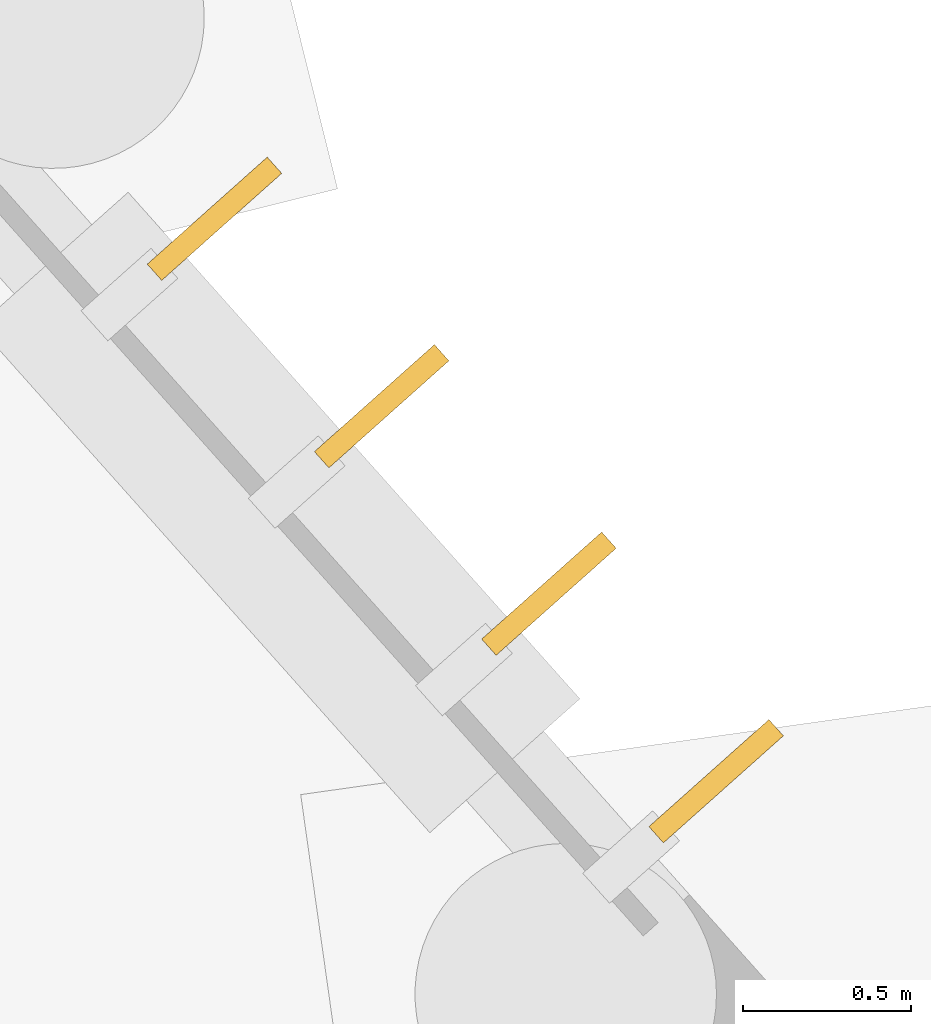
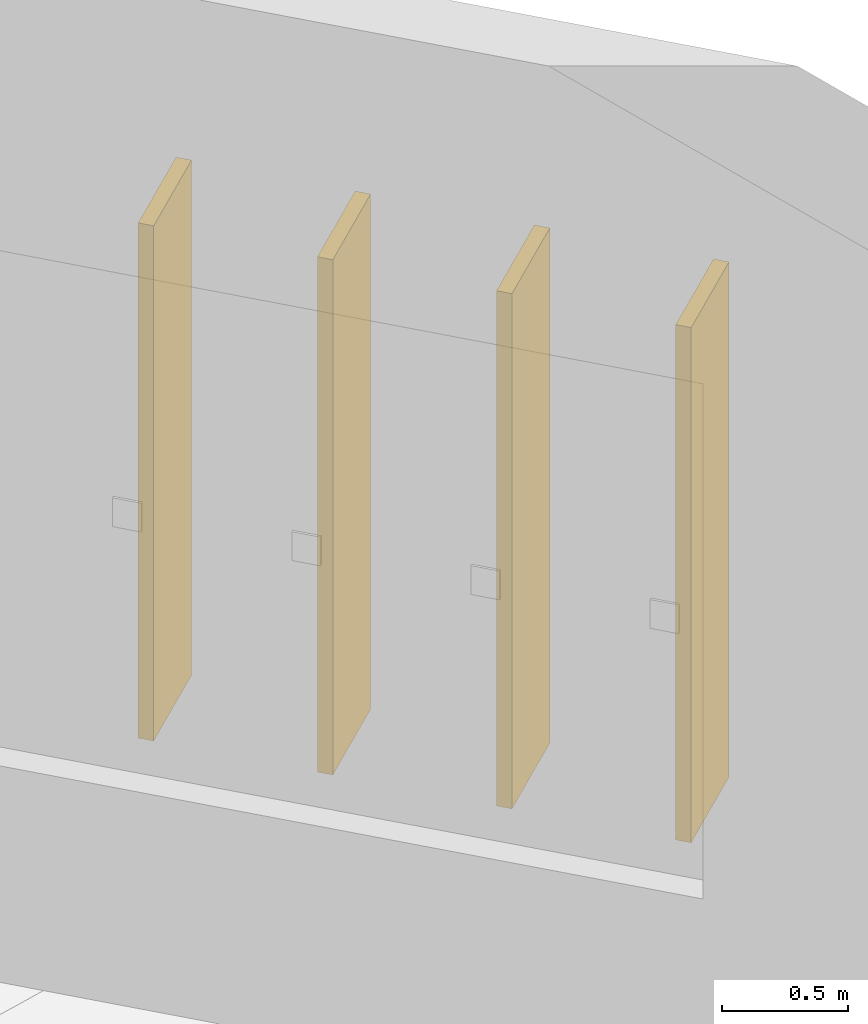
# One storey, part 133 of 140: 4 shading devices.
"""IFC4 building model written with IfcOpenShell, lengths in metres."""

import ifcopenshell
import ifcopenshell.guid

model = None  # the IFC model being written
_history = None  # IfcOwnerHistory: only IFC2X3 demands one
_inside = {}  # id of a spatial element -> (the spatial element, [elements in it])
_under = {}  # id of a project, library or spatial element -> (it, [spatial elements below it])
_declared = {}  # id of a project -> (the project, [libraries it declares])
_typed = {}  # id of a type object -> (the type object, [elements of that type])
_made_of = {}  # id of a material, layer set ... -> (it, [elements and type objects made of it])


def new_model(schema):
    """Start an empty IFC model of exactly this schema.

    Asked for "IFC4X3", IfcOpenShell would pick the latest addendum, in which some entities
    have other attributes; the version numbers below select the first issue.
    IFC2X3 requires an IfcOwnerHistory on every rooted entity: one is made here for all.
    """
    global model, _history
    if schema == "IFC4X3":
        model = ifcopenshell.file(schema_version=(4, 3, 0, 0))
    else:
        model = ifcopenshell.file(schema=schema)
    _inside.clear()
    _under.clear()
    _declared.clear()
    _typed.clear()
    _made_of.clear()
    _history = None
    if model.schema == "IFC2X3":
        org = make("IfcOrganization", Name="unknown")
        user = make(
            "IfcPersonAndOrganization",
            ThePerson=make("IfcPerson", FamilyName="unknown"),
            TheOrganization=org,
        )
        app = make(
            "IfcApplication",
            ApplicationDeveloper=org,
            Version="unknown",
            ApplicationFullName="unknown",
            ApplicationIdentifier="unknown",
        )
        _history = make(
            "IfcOwnerHistory",
            OwningUser=user,
            OwningApplication=app,
            ChangeAction="ADDED",
            CreationDate=0,
        )
    return model


def make(cls, **values):
    """One entity of the class cls with the attributes given. An attribute that is None is left unset."""
    return model.create_entity(
        cls, **{name: value for name, value in values.items() if value is not None}
    )


def rooted(cls, **values):
    """An entity with a GlobalId (a new one), such as an element, a storey or a relation."""
    return make(cls, GlobalId=ifcopenshell.guid.new(), OwnerHistory=_history, **values)


def si_unit(unit_type, name, prefix=None):
    """IfcSIUnit, for example si_unit("LENGTHUNIT", "METRE", prefix="MILLI")."""
    return make("IfcSIUnit", UnitType=unit_type, Prefix=prefix, Name=name)


def assignment(units):
    """IfcUnitAssignment: the units of a project."""
    return None if units is None else make("IfcUnitAssignment", Units=units)


def point(xyz):
    """IfcCartesianPoint."""
    return None if xyz is None else make("IfcCartesianPoint", Coordinates=xyz)


def direction(xyz):
    """IfcDirection."""
    return None if xyz is None else make("IfcDirection", DirectionRatios=xyz)


def frame(location, z_axis=None, x_axis=None):
    """IfcAxis2Placement3D, a coordinate frame: its origin and axes. An axis left out is left unset."""
    return make(
        "IfcAxis2Placement3D",
        Location=point(location),
        Axis=direction(z_axis),
        RefDirection=direction(x_axis),
    )


def frame_2d(location, x_axis=None):
    """IfcAxis2Placement2D, a coordinate frame in the plane: its origin and x axis."""
    return make(
        "IfcAxis2Placement2D", Location=point(location), RefDirection=direction(x_axis)
    )


def origin():
    """The frame at (0, 0, 0) with its axes left unset."""
    return frame((0.0, 0.0, 0.0))


def origin_2d():
    """The frame at (0, 0) in the plane with its x axis left unset."""
    return frame_2d((0.0, 0.0))


def place(relative_to, where):
    """IfcLocalPlacement: puts the frame where relative to a parent placement (None: the world)."""
    return make(
        "IfcLocalPlacement", PlacementRelTo=relative_to, RelativePlacement=where
    )


def context(
    kind, dimensions, precision=None, world=None, true_north=None, identifier=None
):
    """IfcGeometricRepresentationContext, for example the 3D "Model" context."""
    return make(
        "IfcGeometricRepresentationContext",
        ContextIdentifier=identifier,
        ContextType=kind,
        CoordinateSpaceDimension=dimensions,
        Precision=precision,
        WorldCoordinateSystem=world,
        TrueNorth=true_north,
    )


def subcontext(parent, identifier, kind, view, scale=None):
    """IfcGeometricRepresentationSubContext, for example "Body" below "Model"."""
    return make(
        "IfcGeometricRepresentationSubContext",
        ContextIdentifier=identifier,
        ContextType=kind,
        ParentContext=parent,
        TargetScale=scale,
        TargetView=view,
    )


def project(units=None, contexts=None):
    """IfcProject with its units and contexts."""
    return rooted(
        "IfcProject",
        Name="project",
        RepresentationContexts=contexts,
        UnitsInContext=assignment(units),
    )


def spatial(cls, under=None, at=None, **own):
    """A site, building, storey or space (cls), placed at a placement, below another one or the project."""
    s = rooted(cls, ObjectPlacement=at, **own)
    if under is not None:
        _under.setdefault(under.id(), (under, []))[1].append(s)
    return s


def profile(cls, at=None, kind="AREA", **sizes):
    """A parametric profile (cls). Its sizes go by their IFC names, for example OverallWidth=200.0."""
    return make(cls, ProfileType=kind, Position=at, **sizes)


def rectangle(**sizes):
    """IfcRectangleProfileDef."""
    return profile("IfcRectangleProfileDef", **sizes)


def extrude(swept, where, along, depth):
    """IfcExtrudedAreaSolid: the profile swept, set in the frame where, extruded along a direction by depth."""
    return make(
        "IfcExtrudedAreaSolid",
        SweptArea=swept,
        Position=where,
        ExtrudedDirection=direction(along),
        Depth=depth,
    )


def shape(context_of_items, identifier, shape_type, items):
    """IfcShapeRepresentation: the items that make up one representation, for example the "Body"."""
    return make(
        "IfcShapeRepresentation",
        ContextOfItems=context_of_items,
        RepresentationIdentifier=identifier,
        RepresentationType=shape_type,
        Items=items,
    )


def material(Name=None, Category=None):
    """IfcMaterial."""
    return make("IfcMaterial", Name=Name, Category=Category)


def made_of(thing, what):
    """Note that an element or type object is made of a material, layer set ...; save() writes the relation."""
    if what is not None:
        _made_of.setdefault(what.id(), (what, []))[1].append(thing)
    return thing


def type_object(cls, material=None, **own):
    """A type object (cls), such as IfcWallType, which elements share."""
    return made_of(rooted(cls, **own), material)


def element(
    cls,
    number,
    at=None,
    inside=None,
    cuts=None,
    type_object=None,
    material=None,
    context=None,
    identifier="Body",
    shape_type=None,
    held_by="IfcProductDefinitionShape",
    body=None,
    shapes=None,
    **own,
):
    """One element of the class cls, such as IfcWall. Its Tag is "e" and its number.

    at: its placement. inside: the storey or other place that contains it. cuts: it is an
    opening in that element (IfcRelVoidsElement). A single representation is given by context,
    identifier, shape_type and body (its items); several are given by shapes. held_by: the class
    of the entity that holds the representations. save() writes the other relations.
    """
    e = rooted(cls, Tag="e%d" % number, ObjectPlacement=at, **own)
    if body is not None:
        shapes = [shape(context, identifier, shape_type, body)]
    if shapes is not None:
        e.Representation = make(held_by, Representations=shapes)
    if inside is not None:
        _inside.setdefault(inside.id(), (inside, []))[1].append(e)
    if cuts is not None:
        rooted(
            "IfcRelVoidsElement", RelatingBuildingElement=cuts, RelatedOpeningElement=e
        )
    if type_object is not None:
        _typed.setdefault(type_object.id(), (type_object, []))[1].append(e)
    return made_of(e, material)


def aggregate(whole, parts):
    """IfcRelAggregates: a whole, such as a stair, and the parts it consists of."""
    return rooted("IfcRelAggregates", RelatingObject=whole, RelatedObjects=parts)


def save(model, path):
    """Write the relations noted so far, then the file.

    IfcRelAggregates (storeys below a building ...), IfcRelContainedInSpatialStructure (elements
    in a storey), IfcRelDefinesByType, IfcRelAssociatesMaterial and IfcRelDeclares: one each for
    every whole, place, type object, material and project.
    """
    for whole, parts in _under.values():
        aggregate(whole, parts)
    for where, things in _inside.values():
        rooted(
            "IfcRelContainedInSpatialStructure",
            RelatedElements=things,
            RelatingStructure=where,
        )
    for kind, things in _typed.values():
        rooted("IfcRelDefinesByType", RelatedObjects=things, RelatingType=kind)
    for what, things in _made_of.values():
        rooted("IfcRelAssociatesMaterial", RelatedObjects=things, RelatingMaterial=what)
    for by, libraries in _declared.values():
        rooted("IfcRelDeclares", RelatingContext=by, RelatedDefinitions=libraries)
    model.write(path)


model = new_model("IFC4")

# Units and contexts
model_context = context("Model", 3, precision=1e-05, world=origin(), true_north=direction((0.0, 1.0)))
body_context = subcontext(model_context, "Body", "Model", "MODEL_VIEW")
ifc_project = project(units=[si_unit("LENGTHUNIT", "METRE"), si_unit("AREAUNIT", "SQUARE_METRE"), si_unit("VOLUMEUNIT", "CUBIC_METRE"), si_unit("PLANEANGLEUNIT", "RADIAN"), si_unit("MASSUNIT", "GRAM", prefix="KILO")], contexts=[model_context])

# Site, building, storey
site_placement = place(None, origin())
site = spatial("IfcSite", under=ifc_project, at=site_placement, CompositionType="ELEMENT")
building_placement = place(site_placement, origin())
building = spatial("IfcBuilding", under=site, at=building_placement, Name="Corvandel Quay Wholesale Market", CompositionType="ELEMENT")
storey_placement = place(building_placement, origin())
storey = spatial("IfcBuildingStorey", under=building, at=storey_placement, Name="L00", CompositionType="ELEMENT", Elevation=0.0)

# Shading devices
ifc_material = material(Name="Bronze anodised extruded aluminium 6063-T6", Category="aluminium")
shading_device_type = type_object("IfcShadingDeviceType", Name="Vertical Anodised Bronze Solar Fin FN01 480mm", PredefinedType="JALOUSIE", material=ifc_material)
for number, where, z_axis, x_axis, name in (
    (1, (166.998046875, 125.19775390625, 1.050048828125), (0.0, 0.0, 1.0), (0.746289766155, 0.665621202286, 0.0), "Solar Fin 0260"),
    (2, (166.498779296875, 125.757568359375, 1.050048828125), (0.0, 0.0, 1.0), (0.746289766155, 0.665621202286, 0.0), "Solar Fin 0261"),
    (3, (165.99951171875, 126.317138671875, 1.050048828125), (0.0, 0.0, 1.0), (0.746289766155, 0.665621202286, 0.0), "Solar Fin 0262"),
    (4, (165.50048828125, 126.876708984375, 1.050048828125), (0.0, 0.0, 1.0), (0.746289766155, 0.665621202286, 0.0), "Solar Fin 0263"),
):
    element("IfcShadingDevice", number, at=place(storey_placement, frame(where, z_axis=z_axis, x_axis=x_axis)), inside=storey, type_object=shading_device_type, Name=name, PredefinedType="JALOUSIE", context=body_context, shape_type="SweptSolid", body=[
        extrude(rectangle(XDim=0.47998046875, YDim=0.06494140625, at=origin_2d()), origin(), (0.0, 0.0, 1.0), 2.5),
    ])

save(model, "model.ifc")
